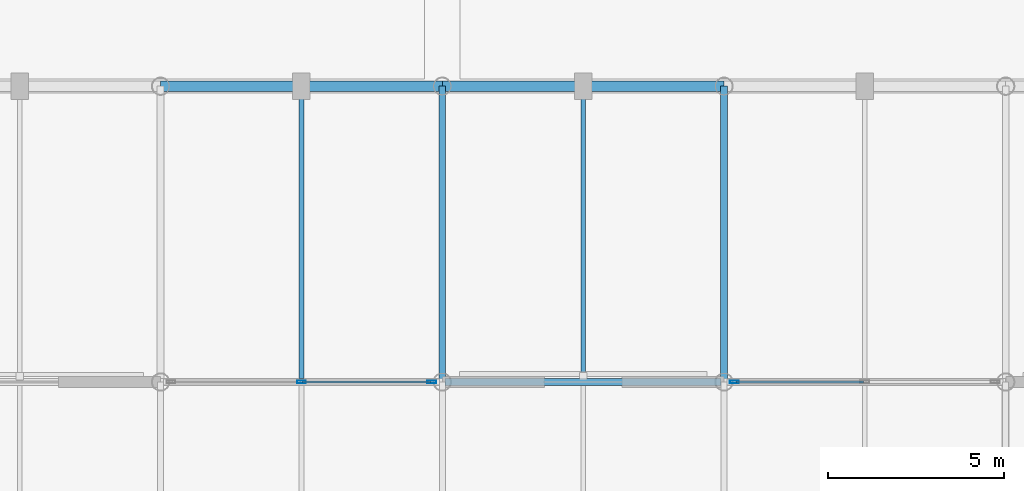
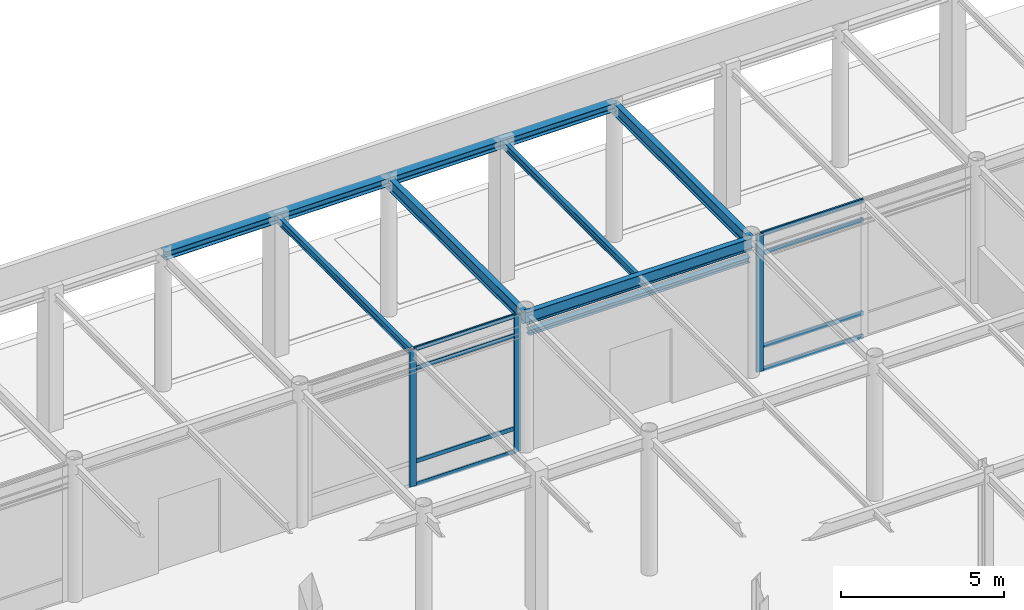
# One storey, part 41 of 89: 11 members, 8 beams, 2 elements without a shape of their own.
"""IFC4 building model written with IfcOpenShell, lengths in metres."""

from ifc_helpers import new_model, si_unit, direction, frame, origin, origin_2d, place, context, subcontext, project, spatial, hollow_rectangle, i_section, extrude, material, layer, layer_set, material_profile, profile_set, type_object, element, aggregate, save


model = new_model("IFC4")

# Units and contexts
model_context = context("Model", 3, precision=1e-05, world=origin(), true_north=direction((0.0, 1.0)))
body_context = subcontext(model_context, "Body", "Model", "MODEL_VIEW")
ifc_project = project(units=[si_unit("LENGTHUNIT", "METRE"), si_unit("AREAUNIT", "SQUARE_METRE"), si_unit("VOLUMEUNIT", "CUBIC_METRE"), si_unit("PLANEANGLEUNIT", "RADIAN"), si_unit("MASSUNIT", "GRAM", prefix="KILO")], contexts=[model_context])

# Site, building, storey
site_placement = place(None, origin())
site = spatial("IfcSite", under=ifc_project, at=site_placement, CompositionType="ELEMENT")
building_placement = place(site_placement, origin())
building = spatial("IfcBuilding", under=site, at=building_placement, Name="Shalkamar Park Central Library", CompositionType="ELEMENT")
storey_placement = place(building_placement, origin())
storey = spatial("IfcBuildingStorey", under=building, at=storey_placement, Name="L01", CompositionType="ELEMENT", Elevation=0.0)

# Beams
ifc_material_1 = material(Name="Steel S355", Category="steel")
ifc_material_profile_1 = material_profile(ifc_material_1, i_section(OverallWidth=0.135009765625, OverallDepth=0.27001953125, WebThickness=0.006591796875, FlangeThickness=0.01025390625, FilletRadius=0.014892578125, at=origin_2d()), Name="IPE 270")
ifc_profile_set_1 = profile_set([ifc_material_profile_1], Name="Steel S355")
beam_type_1 = type_object("IfcBeamType", Name="Composite Floor Joist IPE270", PredefinedType="JOIST", material=ifc_profile_set_1)
for number, where, z_axis, x_axis, name in (
    (1, (209.0, 345.693115234375, 5.0048828125), (0.0, 1.0, 0.0), (-1.0, 0.0, 0.0), "Composite Joist 12/Q-1 (L01)"),
    (2, (217.0, 345.693115234375, 5.0048828125), (0.0, 1.0, 0.0), (-1.0, 0.0, 0.0), "Composite Joist 13/Q-1 (L01)"),
):
    element("IfcBeam", number, at=place(storey_placement, frame(where, z_axis=z_axis, x_axis=x_axis)), inside=storey, type_object=beam_type_1, Name=name, PredefinedType="JOIST", context=body_context, shape_type="SweptSolid", body=[
        extrude(i_section(OverallWidth=0.135009765625, OverallDepth=0.27001953125, WebThickness=0.006591796875, FlangeThickness=0.01025390625, FilletRadius=0.014892578125, at=origin_2d()), origin(), (0.0, 0.0, 1.0), 8.158935546875),
    ])

# Curtain wall, members
ifc_material_2 = material(Name="Thermally broken aluminium and triple low-e curtain wall", Category="aluminium")
ifc_layer_1 = layer(ifc_material_2, 0.25)
ifc_layer_set_1 = layer_set([ifc_layer_1], Name="UnitisedCurtainWall_10")
curtain_wall_type_1 = type_object("IfcCurtainWallType", Name="Unitised Curtain Wall 10", PredefinedType="USERDEFINED", material=ifc_layer_set_1)
curtain_wall_1_placement = place(storey_placement, origin())
curtain_wall_1 = element("IfcCurtainWall", 3, at=curtain_wall_1_placement, inside=storey, type_object=curtain_wall_type_1, Name="Unitised Curtain Wall CW-L01-010", ObjectType="UNITISED CURTAIN WALL", PredefinedType="USERDEFINED")
ifc_material_3 = material(Name="Aluminium 6060-T66", Category="aluminium")
ifc_material_profile_2 = material_profile(ifc_material_3, hollow_rectangle(XDim=0.074951171875, YDim=0.25, WallThickness=0.00390625, InnerFilletRadius=0.00390625, OuterFilletRadius=0.006103515625, at=origin_2d()), Name="ALU 75x250x4")
ifc_profile_set_2 = profile_set([ifc_material_profile_2], Name="Aluminium 6060-T66")
member_type_1 = type_object("IfcMemberType", Name="Curtain Wall Mullion ALU75x250", PredefinedType="MULLION", material=ifc_profile_set_2)
member_1_placement = place(storey_placement, frame((209.0, 345.60009765625, 0.0), z_axis=(0.0, 0.0, 1.0), x_axis=(0.0, 1.0, 0.0)))
member_1 = element("IfcMember", 4, at=member_1_placement, type_object=member_type_1, Name="CW-10 mullion 2", PredefinedType="MULLION", context=body_context, shape_type="SweptSolid", body=[
    extrude(hollow_rectangle(XDim=0.074951171875, YDim=0.25, WallThickness=0.00390625, InnerFilletRadius=0.00390625, OuterFilletRadius=0.006103515625, at=origin_2d()), origin(), (0.0, 0.0, 1.0), 5.139892578125),
])
member_2_placement = place(storey_placement, frame((212.70458984375, 345.60009765625, 0.0), z_axis=(0.0, 0.0, 1.0), x_axis=(0.0, 1.0, 0.0)))
member_2 = element("IfcMember", 5, at=member_2_placement, type_object=member_type_1, Name="CW-10 mullion 3", PredefinedType="MULLION", context=body_context, shape_type="SweptSolid", body=[
    extrude(hollow_rectangle(XDim=0.074951171875, YDim=0.25, WallThickness=0.00390625, InnerFilletRadius=0.00390625, OuterFilletRadius=0.006103515625, at=origin_2d()), origin(), (0.0, 0.0, 1.0), 5.139892578125),
])

# Curtain wall, member
ifc_layer_2 = layer(ifc_material_2, 0.2548828125)
ifc_layer_set_2 = layer_set([ifc_layer_2], Name="UnitisedCurtainWall_08")
curtain_wall_type_2 = type_object("IfcCurtainWallType", Name="Unitised Curtain Wall 08", PredefinedType="USERDEFINED", material=ifc_layer_set_2)
curtain_wall_2_placement = place(storey_placement, origin())
curtain_wall_2 = element("IfcCurtainWall", 6, at=curtain_wall_2_placement, inside=storey, type_object=curtain_wall_type_2, Name="Unitised Curtain Wall CW-L01-011", ObjectType="UNITISED CURTAIN WALL", PredefinedType="USERDEFINED")
ifc_material_profile_3 = material_profile(ifc_material_3, hollow_rectangle(XDim=0.080078125, YDim=0.2548828125, WallThickness=0.00439453125, InnerFilletRadius=0.00439453125, OuterFilletRadius=0.0068359375, at=origin_2d()), Name="ALU 80x255x4.5")
ifc_profile_set_3 = profile_set([ifc_material_profile_3], Name="Aluminium 6060-T66")
member_type_2 = type_object("IfcMemberType", Name="Curtain Wall Mullion ALU80x255", PredefinedType="MULLION", material=ifc_profile_set_3)
member_3_placement = place(storey_placement, frame((221.298095703125, 345.60009765625, 0.0), z_axis=(0.0, 0.0, 1.0), x_axis=(0.0, 1.0, 0.0)))
member_3 = element("IfcMember", 7, at=member_3_placement, type_object=member_type_2, Name="CW-08 mullion 1", PredefinedType="MULLION", context=body_context, shape_type="SweptSolid", body=[
    extrude(hollow_rectangle(XDim=0.080078125, YDim=0.2548828125, WallThickness=0.00439453125, InnerFilletRadius=0.00439453125, OuterFilletRadius=0.0068359375, at=origin_2d()), origin(), (0.0, 0.0, 1.0), 5.139892578125),
])

# Member
ifc_material_profile_4 = material_profile(ifc_material_3, hollow_rectangle(XDim=0.06005859375, YDim=0.159912109375, WallThickness=0.00390625, InnerFilletRadius=0.00390625, OuterFilletRadius=0.006103515625, at=origin_2d()), Name="ALU 60x160x4")
ifc_profile_set_4 = profile_set([ifc_material_profile_4], Name="Aluminium 6060-T66")
member_type_3 = type_object("IfcMemberType", Name="Curtain Wall Transom ALU60x160", PredefinedType="USERDEFINED", material=ifc_profile_set_4)
member_4_placement = place(storey_placement, frame((209.03759765625, 345.60009765625, 0.030029296875), z_axis=(1.0, 0.0, 0.0), x_axis=(0.0, 1.0, 0.0)))
member_4 = element("IfcMember", 8, at=member_4_placement, type_object=member_type_3, Name="CW-10 transom 2.1", ObjectType="TRANSOM", PredefinedType="USERDEFINED", context=body_context, shape_type="SweptSolid", body=[
    extrude(hollow_rectangle(XDim=0.06005859375, YDim=0.159912109375, WallThickness=0.00390625, InnerFilletRadius=0.00390625, OuterFilletRadius=0.006103515625, at=origin_2d()), origin(), (0.0, 0.0, 1.0), 3.62939453125),
])

member_5_placement = place(storey_placement, frame((209.03759765625, 345.60009765625, 0.89990234375), z_axis=(1.0, 0.0, 0.0), x_axis=(0.0, 1.0, 0.0)))
member_5 = element("IfcMember", 9, at=member_5_placement, type_object=member_type_3, Name="CW-10 transom 2.2", ObjectType="TRANSOM", PredefinedType="USERDEFINED", context=body_context, shape_type="SweptSolid", body=[
    extrude(hollow_rectangle(XDim=0.06005859375, YDim=0.159912109375, WallThickness=0.00390625, InnerFilletRadius=0.00390625, OuterFilletRadius=0.006103515625, at=origin_2d()), origin(), (0.0, 0.0, 1.0), 3.62939453125),
])

member_6_placement = place(storey_placement, frame((209.03759765625, 345.60009765625, 4.389892578125), z_axis=(1.0, 0.0, 0.0), x_axis=(0.0, 1.0, 0.0)))
member_6 = element("IfcMember", 10, at=member_6_placement, type_object=member_type_3, Name="CW-10 transom 2.3", ObjectType="TRANSOM", PredefinedType="USERDEFINED", context=body_context, shape_type="SweptSolid", body=[
    extrude(hollow_rectangle(XDim=0.06005859375, YDim=0.159912109375, WallThickness=0.00390625, InnerFilletRadius=0.00390625, OuterFilletRadius=0.006103515625, at=origin_2d()), origin(), (0.0, 0.0, 1.0), 3.62939453125),
])

member_7_placement = place(storey_placement, frame((209.03759765625, 345.60009765625, 5.110107421875), z_axis=(1.0, 0.0, 0.0), x_axis=(0.0, 1.0, 0.0)))
member_7 = element("IfcMember", 11, at=member_7_placement, type_object=member_type_3, Name="CW-10 transom 2.4", ObjectType="TRANSOM", PredefinedType="USERDEFINED", context=body_context, shape_type="SweptSolid", body=[
    extrude(hollow_rectangle(XDim=0.06005859375, YDim=0.159912109375, WallThickness=0.00390625, InnerFilletRadius=0.00390625, OuterFilletRadius=0.006103515625, at=origin_2d()), origin(), (0.0, 0.0, 1.0), 3.62939453125),
])

aggregate(curtain_wall_1, [member_1, member_2, member_4, member_5, member_6, member_7])

ifc_material_profile_5 = material_profile(ifc_material_3, hollow_rectangle(XDim=0.06494140625, YDim=0.169921875, WallThickness=0.00390625, InnerFilletRadius=0.00390625, OuterFilletRadius=0.006103515625, at=origin_2d()), Name="ALU 65x170x4")
ifc_profile_set_5 = profile_set([ifc_material_profile_5], Name="Aluminium 6060-T66")
member_type_4 = type_object("IfcMemberType", Name="Curtain Wall Transom ALU65x170", PredefinedType="USERDEFINED", material=ifc_profile_set_5)
member_8_placement = place(storey_placement, frame((221.337890625, 345.60009765625, 0.032470703125), z_axis=(1.0, 0.0, 0.0), x_axis=(0.0, 1.0, 0.0)))
member_8 = element("IfcMember", 12, at=member_8_placement, type_object=member_type_4, Name="CW-08 transom 1.1", ObjectType="TRANSOM", PredefinedType="USERDEFINED", context=body_context, shape_type="SweptSolid", body=[
    extrude(hollow_rectangle(XDim=0.06494140625, YDim=0.169921875, WallThickness=0.00390625, InnerFilletRadius=0.00390625, OuterFilletRadius=0.006103515625, at=origin_2d()), origin(), (0.0, 0.0, 1.0), 3.6220703125),
])

member_9_placement = place(storey_placement, frame((221.337890625, 345.60009765625, 0.89990234375), z_axis=(1.0, 0.0, 0.0), x_axis=(0.0, 1.0, 0.0)))
member_9 = element("IfcMember", 13, at=member_9_placement, type_object=member_type_4, Name="CW-08 transom 1.2", ObjectType="TRANSOM", PredefinedType="USERDEFINED", context=body_context, shape_type="SweptSolid", body=[
    extrude(hollow_rectangle(XDim=0.06494140625, YDim=0.169921875, WallThickness=0.00390625, InnerFilletRadius=0.00390625, OuterFilletRadius=0.006103515625, at=origin_2d()), origin(), (0.0, 0.0, 1.0), 3.6220703125),
])

member_10_placement = place(storey_placement, frame((221.337890625, 345.60009765625, 4.389892578125), z_axis=(1.0, 0.0, 0.0), x_axis=(0.0, 1.0, 0.0)))
member_10 = element("IfcMember", 14, at=member_10_placement, type_object=member_type_4, Name="CW-08 transom 1.3", ObjectType="TRANSOM", PredefinedType="USERDEFINED", context=body_context, shape_type="SweptSolid", body=[
    extrude(hollow_rectangle(XDim=0.06494140625, YDim=0.169921875, WallThickness=0.00390625, InnerFilletRadius=0.00390625, OuterFilletRadius=0.006103515625, at=origin_2d()), origin(), (0.0, 0.0, 1.0), 3.6220703125),
])

member_11_placement = place(storey_placement, frame((221.337890625, 345.60009765625, 5.107421875), z_axis=(1.0, 0.0, 0.0), x_axis=(0.0, 1.0, 0.0)))
member_11 = element("IfcMember", 15, at=member_11_placement, type_object=member_type_4, Name="CW-08 transom 1.4", ObjectType="TRANSOM", PredefinedType="USERDEFINED", context=body_context, shape_type="SweptSolid", body=[
    extrude(hollow_rectangle(XDim=0.06494140625, YDim=0.169921875, WallThickness=0.00390625, InnerFilletRadius=0.00390625, OuterFilletRadius=0.006103515625, at=origin_2d()), origin(), (0.0, 0.0, 1.0), 3.6220703125),
])

aggregate(curtain_wall_2, [member_3, member_8, member_9, member_10, member_11])

# Beams
ifc_material_profile_6 = material_profile(ifc_material_1, i_section(OverallWidth=0.199951171875, OverallDepth=0.18994140625, WebThickness=0.006591796875, FlangeThickness=0.010009765625, FilletRadius=0.01806640625, at=origin_2d()), Name="HEA 200")
ifc_profile_set_6 = profile_set([ifc_material_profile_6], Name="Steel S355")
beam_type_2 = type_object("IfcBeamType", Name="Opening Lintel Beam HEA200", PredefinedType="LINTEL", material=ifc_profile_set_6)
beam_1_placement = place(storey_placement, frame((213.080078125, 345.60009765625, 4.35009765625), z_axis=(1.0, 0.0, 0.0), x_axis=(0.0, 1.0, 0.0)))
element("IfcBeam", 16, at=beam_1_placement, inside=storey, type_object=beam_type_2, Name="Opening Lintel L01-15", PredefinedType="LINTEL", context=body_context, shape_type="SweptSolid", body=[
    extrude(i_section(OverallWidth=0.199951171875, OverallDepth=0.18994140625, WebThickness=0.006591796875, FlangeThickness=0.010009765625, FilletRadius=0.01806640625, at=origin_2d()), origin(), (0.0, 0.0, 1.0), 7.83984375),
])
ifc_material_profile_7 = material_profile(ifc_material_1, i_section(OverallWidth=0.300048828125, OverallDepth=0.31005859375, WebThickness=0.009033203125, FlangeThickness=0.015380859375, FilletRadius=0.027099609375, at=origin_2d()), Name="HEA 320")
ifc_profile_set_7 = profile_set([ifc_material_profile_7], Name="Steel S355")
beam_type_3 = type_object("IfcBeamType", Name="Perimeter Spandrel Beam HEA320", PredefinedType="SPANDREL", material=ifc_profile_set_7)
for number, where, z_axis, x_axis, name in (
    (17, (205.0, 354.0, 4.9951171875), (1.0, 0.0, 0.0), (0.0, 1.0, 0.0), "Beam R:12-13 (L01)"),
    (18, (213.0, 354.0, 4.9951171875), (1.0, 0.0, 0.0), (0.0, 1.0, 0.0), "Beam R:13-14 (L01)"),
):
    element("IfcBeam", number, at=place(storey_placement, frame(where, z_axis=z_axis, x_axis=x_axis)), inside=storey, type_object=beam_type_3, Name=name, PredefinedType="SPANDREL", context=body_context, shape_type="SweptSolid", body=[
        extrude(i_section(OverallWidth=0.300048828125, OverallDepth=0.31005859375, WebThickness=0.009033203125, FlangeThickness=0.015380859375, FilletRadius=0.027099609375, at=origin_2d()), origin(), (0.0, 0.0, 1.0), 8.0),
    ])
ifc_material_profile_8 = material_profile(ifc_material_1, i_section(OverallWidth=0.18994140625, OverallDepth=0.449951171875, WebThickness=0.009521484375, FlangeThickness=0.0146484375, FilletRadius=0.02099609375, at=origin_2d()), Name="IPE 450")
ifc_profile_set_8 = profile_set([ifc_material_profile_8], Name="Steel S355")
beam_type_4 = type_object("IfcBeamType", Name="Primary Girder IPE450", PredefinedType="BEAM", material=ifc_profile_set_8)
beam_2_placement = place(storey_placement, frame((213.0, 345.60009765625, 4.9150390625), z_axis=(1.0, 0.0, 0.0), x_axis=(0.0, 1.0, 0.0)))
element("IfcBeam", 19, at=beam_2_placement, inside=storey, type_object=beam_type_4, Name="Beam Q:13-14 (L01)", PredefinedType="BEAM", context=body_context, shape_type="SweptSolid", body=[
    extrude(i_section(OverallWidth=0.18994140625, OverallDepth=0.449951171875, WebThickness=0.009521484375, FlangeThickness=0.0146484375, FilletRadius=0.02099609375, at=origin_2d()), origin(), (0.0, 0.0, 1.0), 8.0),
])
for number, where, z_axis, x_axis, name in (
    (20, (213.0, 345.60009765625, 4.9150390625), (0.0, 1.0, 0.0), (-1.0, 0.0, 0.0), "Beam 13:Q-R (L01)"),
    (21, (221.0, 345.60009765625, 4.9150390625), (0.0, 1.0, 0.0), (-1.0, 0.0, 0.0), "Beam 14:Q-R (L01)"),
):
    element("IfcBeam", number, at=place(storey_placement, frame(where, z_axis=z_axis, x_axis=x_axis)), inside=storey, type_object=beam_type_4, Name=name, PredefinedType="BEAM", context=body_context, shape_type="SweptSolid", body=[
        extrude(i_section(OverallWidth=0.18994140625, OverallDepth=0.449951171875, WebThickness=0.009521484375, FlangeThickness=0.0146484375, FilletRadius=0.02099609375, at=origin_2d()), origin(), (0.0, 0.0, 1.0), 8.39990234375),
    ])

save(model, "model.ifc")
